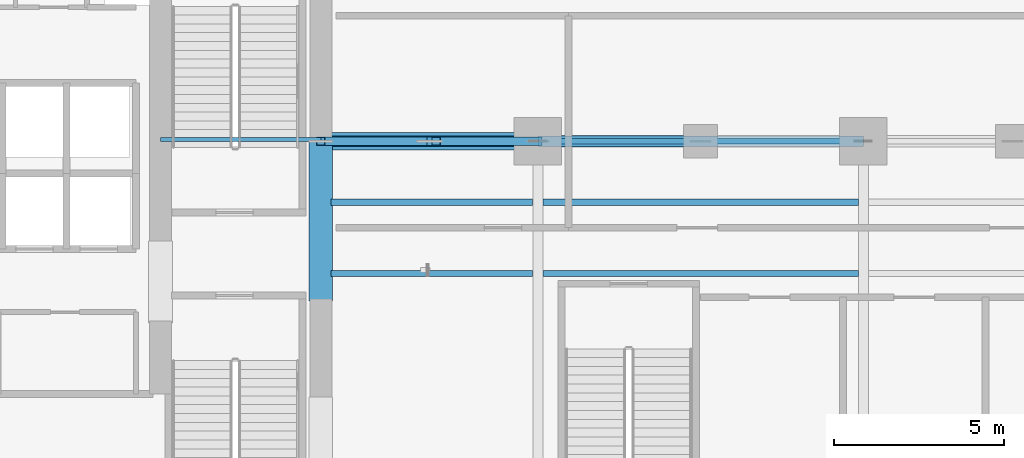
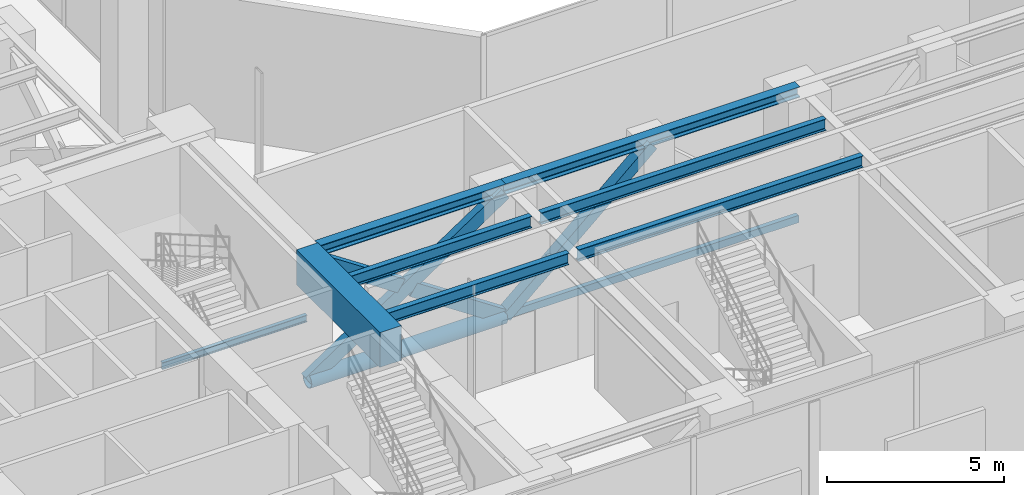
# One storey, part 7 of 37: 8 beams, 6 members.
"""IFC4 building model written with IfcOpenShell, lengths in metres."""

from ifc_helpers import new_model, si_unit, direction, frame, origin, origin_2d, place, context, subcontext, project, spatial, rectangle, hollow_rectangle, hollow_circle, i_section, extrude, material, material_profile, profile_set, type_object, element, save


model = new_model("IFC4")

# Units and contexts
model_context = context("Model", 3, precision=1e-05, world=origin(), true_north=direction((0.0, 1.0)))
body_context = subcontext(model_context, "Body", "Model", "MODEL_VIEW")
ifc_project = project(units=[si_unit("LENGTHUNIT", "METRE"), si_unit("AREAUNIT", "SQUARE_METRE"), si_unit("VOLUMEUNIT", "CUBIC_METRE"), si_unit("PLANEANGLEUNIT", "RADIAN"), si_unit("MASSUNIT", "GRAM", prefix="KILO")], contexts=[model_context])

# Site, building, storey
site_placement = place(None, origin())
site = spatial("IfcSite", under=ifc_project, at=site_placement, CompositionType="ELEMENT")
building_placement = place(site_placement, origin())
building = spatial("IfcBuilding", under=site, at=building_placement, Name="Kolvaren Waterfront Exchange", CompositionType="ELEMENT")
storey_placement = place(building_placement, frame((0.0, 0.0, 141.10009765625)))
storey = spatial("IfcBuildingStorey", under=building, at=storey_placement, Name="L36", CompositionType="ELEMENT", Elevation=141.10009765625)

# Beams
ifc_material_1 = material(Name="Steel S355", Category="steel")
ifc_material_profile_1 = material_profile(ifc_material_1, i_section(OverallWidth=0.300048828125, OverallDepth=0.360107421875, WebThickness=0.012451171875, FlangeThickness=0.0224609375, FilletRadius=0.027099609375, at=origin_2d()), Name="HEB360")
ifc_profile_set_1 = profile_set([ifc_material_profile_1], Name="Steel S355")
beam_type_1 = type_object("IfcBeamType", Name="STR-BM-HEB360", PredefinedType="SPANDREL", material=ifc_profile_set_1)
beam_1_placement = place(storey_placement, frame((21.125, 17.39990234375, 4.679931640625), z_axis=(1.0, 0.0, 0.0), x_axis=(0.0, 1.0, 0.0)))
element("IfcBeam", 1, at=beam_1_placement, inside=storey, type_object=beam_type_1, Name="L36 east-arm spandrel N1", PredefinedType="SPANDREL", context=body_context, shape_type="SweptSolid", body=[
    extrude(i_section(OverallWidth=0.300048828125, OverallDepth=0.360107421875, WebThickness=0.012451171875, FlangeThickness=0.0224609375, FilletRadius=0.027099609375, at=origin_2d()), origin(), (0.0, 0.0, 1.0), 6.074951171875),
])
beam_2_placement = place(storey_placement, frame((27.199951171875, 17.39990234375, 4.679931640625), z_axis=(1.0, 0.0, 0.0), x_axis=(0.0, 1.0, 0.0)))
element("IfcBeam", 2, at=beam_2_placement, inside=storey, type_object=beam_type_1, Name="L36 east-arm spandrel N2", PredefinedType="SPANDREL", context=body_context, shape_type="SweptSolid", body=[
    extrude(i_section(OverallWidth=0.300048828125, OverallDepth=0.360107421875, WebThickness=0.012451171875, FlangeThickness=0.0224609375, FilletRadius=0.027099609375, at=origin_2d()), origin(), (0.0, 0.0, 1.0), 9.60009765625),
])
ifc_material_profile_2 = material_profile(ifc_material_1, i_section(OverallWidth=0.1201171875, OverallDepth=0.239990234375, WebThickness=0.006103515625, FlangeThickness=0.009765625, FilletRadius=0.014892578125, at=origin_2d()), Name="IPE240")
ifc_profile_set_2 = profile_set([ifc_material_profile_2], Name="Steel S355")
beam_type_2 = type_object("IfcBeamType", Name="STR-BM-IPE240", PredefinedType="LINTEL", material=ifc_profile_set_2)
beam_3_placement = place(storey_placement, frame((16.074951171875, 17.449951171875, 2.3798828125), z_axis=(1.0, 0.0, 0.0), x_axis=(0.0, 1.0, 0.0)))
element("IfcBeam", 3, at=beam_3_placement, inside=storey, type_object=beam_type_2, Name="L36 core stair header lintel", PredefinedType="LINTEL", context=body_context, shape_type="SweptSolid", body=[
    extrude(i_section(OverallWidth=0.1201171875, OverallDepth=0.239990234375, WebThickness=0.006103515625, FlangeThickness=0.009765625, FilletRadius=0.014892578125, at=origin_2d()), origin(), (0.0, 0.0, 1.0), 4.72509765625),
])
ifc_material_profile_3 = material_profile(ifc_material_1, i_section(OverallWidth=0.179931640625, OverallDepth=0.39990234375, WebThickness=0.008544921875, FlangeThickness=0.013427734375, FilletRadius=0.02099609375, at=origin_2d()), Name="IPE400")
ifc_profile_set_3 = profile_set([ifc_material_profile_3], Name="Steel S355")
beam_type_3 = type_object("IfcBeamType", Name="STR-BM-IPE400", PredefinedType="JOIST", material=ifc_profile_set_3)
for number, where, z_axis, x_axis, name in (
    (4, (21.10009765625, 13.5, 4.659912109375), (1.0, 0.0, 0.0), (0.0, 1.0, 0.0), "L36 east-arm composite joist 1A"),
    (5, (21.10009765625, 15.60009765625, 4.659912109375), (1.0, 0.0, 0.0), (0.0, 1.0, 0.0), "L36 east-arm composite joist 1C"),
):
    element("IfcBeam", number, at=place(storey_placement, frame(where, z_axis=z_axis, x_axis=x_axis)), inside=storey, type_object=beam_type_3, Name=name, PredefinedType="JOIST", context=body_context, shape_type="SweptSolid", body=[
        extrude(i_section(OverallWidth=0.179931640625, OverallDepth=0.39990234375, WebThickness=0.008544921875, FlangeThickness=0.013427734375, FilletRadius=0.02099609375, at=origin_2d()), origin(), (0.0, 0.0, 1.0), 5.947998046875),
    ])
for number, where, z_axis, x_axis, name in (
    (6, (27.35205078125, 13.5, 4.659912109375), (1.0, 0.0, 0.0), (0.0, 1.0, 0.0), "L36 east-arm composite joist 2A"),
    (7, (27.35205078125, 15.60009765625, 4.659912109375), (1.0, 0.0, 0.0), (0.0, 1.0, 0.0), "L36 east-arm composite joist 2C"),
):
    element("IfcBeam", number, at=place(storey_placement, frame(where, z_axis=z_axis, x_axis=x_axis)), inside=storey, type_object=beam_type_3, Name=name, PredefinedType="JOIST", context=body_context, shape_type="SweptSolid", body=[
        extrude(i_section(OverallWidth=0.179931640625, OverallDepth=0.39990234375, WebThickness=0.008544921875, FlangeThickness=0.013427734375, FilletRadius=0.02099609375, at=origin_2d()), origin(), (0.0, 0.0, 1.0), 9.2958984375),
    ])

# Members
ifc_material_2 = material(Name="Steel S460", Category="steel")
ifc_material_profile_4 = material_profile(ifc_material_2, hollow_circle(Radius=0.25390625, WallThickness=0.02001953125, at=origin_2d()), Name="CHS508x20")
ifc_profile_set_4 = profile_set([ifc_material_profile_4], Name="Steel S460")
member_type_1 = type_object("IfcMemberType", Name="STR-BR-CHS508", PredefinedType="CHORD", material=ifc_profile_set_4)
member_1_placement = place(storey_placement, frame((20.800048828125, 17.39990234375, 0.25), z_axis=(1.0, 0.0, 0.0), x_axis=(0.0, 1.0, 0.0)))
element("IfcMember", 8, at=member_1_placement, inside=storey, type_object=member_type_1, Name="L36 outrigger bottom chord OA2", PredefinedType="CHORD", context=body_context, shape_type="SweptSolid", body=[
    extrude(hollow_circle(Radius=0.25390625, WallThickness=0.02001953125, at=origin_2d()), origin(), (0.0, 0.0, 1.0), 6.39990234375),
])
ifc_material_profile_5 = material_profile(ifc_material_2, hollow_rectangle(XDim=0.14990234375, YDim=0.25, WallThickness=0.010009765625, at=origin_2d()), Name="RHS250x150x10")
ifc_profile_set_5 = profile_set([ifc_material_profile_5], Name="Steel S460")
member_type_2 = type_object("IfcMemberType", Name="STR-BR-RHS250", PredefinedType="CHORD", material=ifc_profile_set_5)
member_2_placement = place(storey_placement, frame((27.199951171875, 17.39990234375, 0.25), z_axis=(1.0, 0.0, 0.0), x_axis=(0.0, 1.0, 0.0)))
element("IfcMember", 9, at=member_2_placement, inside=storey, type_object=member_type_2, Name="L36 belt-truss bottom chord BT1", PredefinedType="CHORD", context=body_context, shape_type="SweptSolid", body=[
    extrude(hollow_rectangle(XDim=0.14990234375, YDim=0.25, WallThickness=0.010009765625, at=origin_2d()), origin(), (0.0, 0.0, 1.0), 9.60009765625),
])
ifc_material_profile_6 = material_profile(ifc_material_2, hollow_rectangle(XDim=0.25, YDim=0.449951171875, WallThickness=0.01611328125, at=origin_2d()), Name="RHS450x250x16")
ifc_profile_set_6 = profile_set([ifc_material_profile_6], Name="Steel S460")
member_type_3 = type_object("IfcMemberType", Name="STR-BR-RHS450", PredefinedType="BRACE", material=ifc_profile_set_6)
member_3_placement = place(storey_placement, frame((20.800048828125, 17.39990234375, 0.25), z_axis=(0.832445808378, 0.0, 0.554106466407), x_axis=(0.0, 1.0, 0.0)))
element("IfcMember", 10, at=member_3_placement, inside=storey, type_object=member_type_3, Name="L36 outrigger diagonal OA2.1", PredefinedType="BRACE", context=body_context, shape_type="SweptSolid", body=[
    extrude(hollow_rectangle(XDim=0.25, YDim=0.449951171875, WallThickness=0.01611328125, at=origin_2d()), origin(), (0.0, 0.0, 1.0), 7.68798828125),
])
member_4_placement = place(storey_placement, frame((27.199951171875, 17.39990234375, 0.25), z_axis=(-0.832477341064, 0.0, 0.554059091266), x_axis=(0.0, -1.0, 0.0)))
element("IfcMember", 11, at=member_4_placement, inside=storey, type_object=member_type_3, Name="L36 outrigger split diagonal OA2.2A", PredefinedType="BRACE", context=body_context, shape_type="SweptSolid", body=[
    extrude(hollow_rectangle(XDim=0.25, YDim=0.449951171875, WallThickness=0.01611328125, at=origin_2d()), origin(), (0.0, 0.0, 1.0), 3.60400390625),
])
member_5_placement = place(storey_placement, frame((23.80029296875, 17.39990234375, 2.512939453125), z_axis=(-0.832446095636, 0.0, 0.554106034853), x_axis=(0.0, -1.0, 0.0)))
element("IfcMember", 12, at=member_5_placement, inside=storey, type_object=member_type_3, Name="L36 outrigger split diagonal OA2.2B", PredefinedType="BRACE", context=body_context, shape_type="SweptSolid", body=[
    extrude(hollow_rectangle(XDim=0.25, YDim=0.449951171875, WallThickness=0.01611328125, at=origin_2d()), origin(), (0.0, 0.0, 1.0), 3.604248046875),
])
ifc_material_profile_7 = material_profile(ifc_material_2, hollow_rectangle(XDim=0.35009765625, YDim=0.35009765625, WallThickness=0.01611328125, at=origin_2d()), Name="SHS350x350x16")
ifc_profile_set_7 = profile_set([ifc_material_profile_7], Name="Steel S460")
member_type_4 = type_object("IfcMemberType", Name="STR-BR-SHS350", PredefinedType="BRACE", material=ifc_profile_set_7)
member_6_placement = place(storey_placement, frame((27.199951171875, 17.39990234375, 0.25), z_axis=(0.747927500504, 0.0, 0.663780426036), x_axis=(0.0, 1.0, 0.0)))
element("IfcMember", 13, at=member_6_placement, inside=storey, type_object=member_type_4, Name="L36 belt-truss chevron brace BT1L", PredefinedType="BRACE", context=body_context, shape_type="SweptSolid", body=[
    extrude(hollow_rectangle(XDim=0.35009765625, YDim=0.35009765625, WallThickness=0.01611328125, at=origin_2d()), origin(), (0.0, 0.0, 1.0), 6.417724609375),
])

# Beam
ifc_material_3 = material(Name="Concrete C70/85", Category="concrete")
ifc_material_profile_8 = material_profile(ifc_material_3, rectangle(XDim=0.699951171875, YDim=1.199951171875, at=origin_2d()), Name="RC-CB-1200x700")
ifc_profile_set_8 = profile_set([ifc_material_profile_8], Name="Concrete C70/85")
beam_type_4 = type_object("IfcBeamType", Name="STR-CB-1200", PredefinedType="SPANDREL", material=ifc_profile_set_8)
beam_4_placement = place(storey_placement, frame((20.800048828125, 12.68994140625, 4.260009765625), z_axis=(0.0, 1.0, 0.0), x_axis=(-1.0, 0.0, 0.0)))
element("IfcBeam", 14, at=beam_4_placement, inside=storey, type_object=beam_type_4, Name="L36 core coupling beam 2", PredefinedType="SPANDREL", context=body_context, shape_type="SweptSolid", body=[
    extrude(rectangle(XDim=0.699951171875, YDim=1.199951171875, at=origin_2d()), origin(), (0.0, 0.0, 1.0), 4.719970703125),
])

save(model, "model.ifc")
